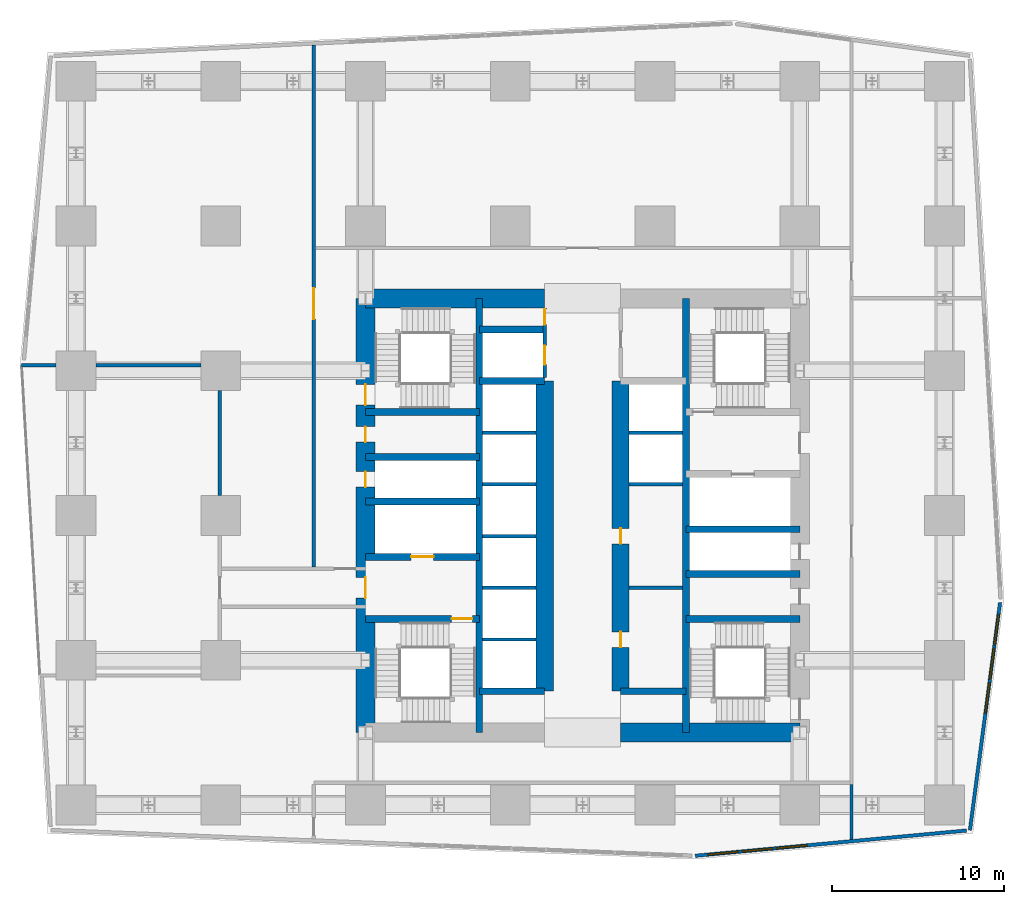
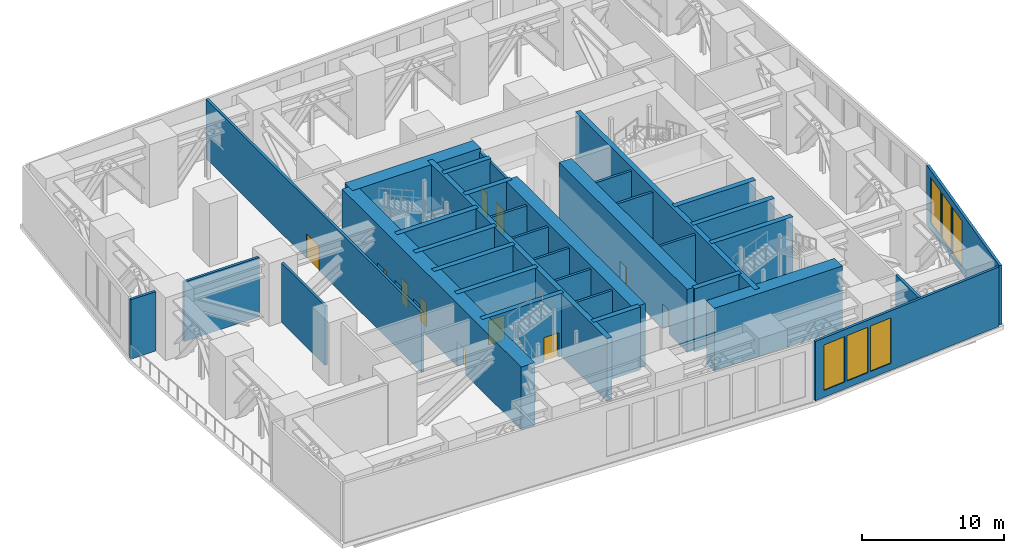
# One storey, part 9 of 16: 35 walls, 11 doors, 6 windows, 17 openings.
"""IFC4 building model written with IfcOpenShell, lengths in metres."""

import ifcopenshell
import ifcopenshell.guid

model = None  # the IFC model being written
_history = None  # IfcOwnerHistory: only IFC2X3 demands one
_inside = {}  # id of a spatial element -> (the spatial element, [elements in it])
_under = {}  # id of a project, library or spatial element -> (it, [spatial elements below it])
_declared = {}  # id of a project -> (the project, [libraries it declares])
_typed = {}  # id of a type object -> (the type object, [elements of that type])
_made_of = {}  # id of a material, layer set ... -> (it, [elements and type objects made of it])


def new_model(schema):
    """Start an empty IFC model of exactly this schema.

    Asked for "IFC4X3", IfcOpenShell would pick the latest addendum, in which some entities
    have other attributes; the version numbers below select the first issue.
    IFC2X3 requires an IfcOwnerHistory on every rooted entity: one is made here for all.
    """
    global model, _history
    if schema == "IFC4X3":
        model = ifcopenshell.file(schema_version=(4, 3, 0, 0))
    else:
        model = ifcopenshell.file(schema=schema)
    _inside.clear()
    _under.clear()
    _declared.clear()
    _typed.clear()
    _made_of.clear()
    _history = None
    if model.schema == "IFC2X3":
        org = make("IfcOrganization", Name="unknown")
        user = make(
            "IfcPersonAndOrganization",
            ThePerson=make("IfcPerson", FamilyName="unknown"),
            TheOrganization=org,
        )
        app = make(
            "IfcApplication",
            ApplicationDeveloper=org,
            Version="unknown",
            ApplicationFullName="unknown",
            ApplicationIdentifier="unknown",
        )
        _history = make(
            "IfcOwnerHistory",
            OwningUser=user,
            OwningApplication=app,
            ChangeAction="ADDED",
            CreationDate=0,
        )
    return model


def make(cls, **values):
    """One entity of the class cls with the attributes given. An attribute that is None is left unset."""
    return model.create_entity(
        cls, **{name: value for name, value in values.items() if value is not None}
    )


def rooted(cls, **values):
    """An entity with a GlobalId (a new one), such as an element, a storey or a relation."""
    return make(cls, GlobalId=ifcopenshell.guid.new(), OwnerHistory=_history, **values)


def si_unit(unit_type, name, prefix=None):
    """IfcSIUnit, for example si_unit("LENGTHUNIT", "METRE", prefix="MILLI")."""
    return make("IfcSIUnit", UnitType=unit_type, Prefix=prefix, Name=name)


def assignment(units):
    """IfcUnitAssignment: the units of a project."""
    return None if units is None else make("IfcUnitAssignment", Units=units)


def point(xyz):
    """IfcCartesianPoint."""
    return None if xyz is None else make("IfcCartesianPoint", Coordinates=xyz)


def direction(xyz):
    """IfcDirection."""
    return None if xyz is None else make("IfcDirection", DirectionRatios=xyz)


def frame(location, z_axis=None, x_axis=None):
    """IfcAxis2Placement3D, a coordinate frame: its origin and axes. An axis left out is left unset."""
    return make(
        "IfcAxis2Placement3D",
        Location=point(location),
        Axis=direction(z_axis),
        RefDirection=direction(x_axis),
    )


def frame_2d(location, x_axis=None):
    """IfcAxis2Placement2D, a coordinate frame in the plane: its origin and x axis."""
    return make(
        "IfcAxis2Placement2D", Location=point(location), RefDirection=direction(x_axis)
    )


def origin():
    """The frame at (0, 0, 0) with its axes left unset."""
    return frame((0.0, 0.0, 0.0))


def place(relative_to, where):
    """IfcLocalPlacement: puts the frame where relative to a parent placement (None: the world)."""
    return make(
        "IfcLocalPlacement", PlacementRelTo=relative_to, RelativePlacement=where
    )


def context(
    kind, dimensions, precision=None, world=None, true_north=None, identifier=None
):
    """IfcGeometricRepresentationContext, for example the 3D "Model" context."""
    return make(
        "IfcGeometricRepresentationContext",
        ContextIdentifier=identifier,
        ContextType=kind,
        CoordinateSpaceDimension=dimensions,
        Precision=precision,
        WorldCoordinateSystem=world,
        TrueNorth=true_north,
    )


def subcontext(parent, identifier, kind, view, scale=None):
    """IfcGeometricRepresentationSubContext, for example "Body" below "Model"."""
    return make(
        "IfcGeometricRepresentationSubContext",
        ContextIdentifier=identifier,
        ContextType=kind,
        ParentContext=parent,
        TargetScale=scale,
        TargetView=view,
    )


def project(units=None, contexts=None):
    """IfcProject with its units and contexts."""
    return rooted(
        "IfcProject",
        Name="project",
        RepresentationContexts=contexts,
        UnitsInContext=assignment(units),
    )


def spatial(cls, under=None, at=None, **own):
    """A site, building, storey or space (cls), placed at a placement, below another one or the project."""
    s = rooted(cls, ObjectPlacement=at, **own)
    if under is not None:
        _under.setdefault(under.id(), (under, []))[1].append(s)
    return s


def profile(cls, at=None, kind="AREA", **sizes):
    """A parametric profile (cls). Its sizes go by their IFC names, for example OverallWidth=200.0."""
    return make(cls, ProfileType=kind, Position=at, **sizes)


def rectangle(**sizes):
    """IfcRectangleProfileDef."""
    return profile("IfcRectangleProfileDef", **sizes)


def extrude(swept, where, along, depth):
    """IfcExtrudedAreaSolid: the profile swept, set in the frame where, extruded along a direction by depth."""
    return make(
        "IfcExtrudedAreaSolid",
        SweptArea=swept,
        Position=where,
        ExtrudedDirection=direction(along),
        Depth=depth,
    )


def shape(context_of_items, identifier, shape_type, items):
    """IfcShapeRepresentation: the items that make up one representation, for example the "Body"."""
    return make(
        "IfcShapeRepresentation",
        ContextOfItems=context_of_items,
        RepresentationIdentifier=identifier,
        RepresentationType=shape_type,
        Items=items,
    )


def material(Name=None, Category=None):
    """IfcMaterial."""
    return make("IfcMaterial", Name=Name, Category=Category)


def layer(
    of_material, thickness, ventilated=None, Name=None, Category=None, Priority=None
):
    """IfcMaterialLayer: one layer of a wall or slab, of a material (None: an air gap)."""
    return make(
        "IfcMaterialLayer",
        Material=of_material,
        LayerThickness=thickness,
        IsVentilated=ventilated,
        Name=Name,
        Category=Category,
        Priority=Priority,
    )


def layer_set(layers, Name=None):
    """IfcMaterialLayerSet."""
    return make("IfcMaterialLayerSet", MaterialLayers=layers, LayerSetName=Name)


def made_of(thing, what):
    """Note that an element or type object is made of a material, layer set ...; save() writes the relation."""
    if what is not None:
        _made_of.setdefault(what.id(), (what, []))[1].append(thing)
    return thing


def type_object(cls, material=None, **own):
    """A type object (cls), such as IfcWallType, which elements share."""
    return made_of(rooted(cls, **own), material)


def element(
    cls,
    number,
    at=None,
    inside=None,
    cuts=None,
    type_object=None,
    material=None,
    context=None,
    identifier="Body",
    shape_type=None,
    held_by="IfcProductDefinitionShape",
    body=None,
    shapes=None,
    **own,
):
    """One element of the class cls, such as IfcWall. Its Tag is "e" and its number.

    at: its placement. inside: the storey or other place that contains it. cuts: it is an
    opening in that element (IfcRelVoidsElement). A single representation is given by context,
    identifier, shape_type and body (its items); several are given by shapes. held_by: the class
    of the entity that holds the representations. save() writes the other relations.
    """
    e = rooted(cls, Tag="e%d" % number, ObjectPlacement=at, **own)
    if body is not None:
        shapes = [shape(context, identifier, shape_type, body)]
    if shapes is not None:
        e.Representation = make(held_by, Representations=shapes)
    if inside is not None:
        _inside.setdefault(inside.id(), (inside, []))[1].append(e)
    if cuts is not None:
        rooted(
            "IfcRelVoidsElement", RelatingBuildingElement=cuts, RelatedOpeningElement=e
        )
    if type_object is not None:
        _typed.setdefault(type_object.id(), (type_object, []))[1].append(e)
    return made_of(e, material)


def fill(opening, filler):
    """IfcRelFillsElement: the door or window that sits in an opening."""
    return rooted(
        "IfcRelFillsElement",
        RelatingOpeningElement=opening,
        RelatedBuildingElement=filler,
    )


def aggregate(whole, parts):
    """IfcRelAggregates: a whole, such as a stair, and the parts it consists of."""
    return rooted("IfcRelAggregates", RelatingObject=whole, RelatedObjects=parts)


def save(model, path):
    """Write the relations noted so far, then the file.

    IfcRelAggregates (storeys below a building ...), IfcRelContainedInSpatialStructure (elements
    in a storey), IfcRelDefinesByType, IfcRelAssociatesMaterial and IfcRelDeclares: one each for
    every whole, place, type object, material and project.
    """
    for whole, parts in _under.values():
        aggregate(whole, parts)
    for where, things in _inside.values():
        rooted(
            "IfcRelContainedInSpatialStructure",
            RelatedElements=things,
            RelatingStructure=where,
        )
    for kind, things in _typed.values():
        rooted("IfcRelDefinesByType", RelatedObjects=things, RelatingType=kind)
    for what, things in _made_of.values():
        rooted("IfcRelAssociatesMaterial", RelatedObjects=things, RelatingMaterial=what)
    for by, libraries in _declared.values():
        rooted("IfcRelDeclares", RelatingContext=by, RelatedDefinitions=libraries)
    model.write(path)


model = new_model("IFC4")

# Units and contexts
model_context = context("Model", 3, precision=1e-05, world=origin(), true_north=direction((0.0, 1.0)))
body_context = subcontext(model_context, "Body", "Model", "MODEL_VIEW")
ifc_project = project(units=[si_unit("LENGTHUNIT", "METRE"), si_unit("AREAUNIT", "SQUARE_METRE"), si_unit("VOLUMEUNIT", "CUBIC_METRE"), si_unit("PLANEANGLEUNIT", "RADIAN"), si_unit("MASSUNIT", "GRAM", prefix="KILO")], contexts=[model_context])

# Site, building, storey
site_placement = place(None, origin())
site = spatial("IfcSite", under=ifc_project, at=site_placement, CompositionType="ELEMENT")
building_placement = place(site_placement, origin())
building = spatial("IfcBuilding", under=site, at=building_placement, Name="Rekha Terrace Tower", CompositionType="ELEMENT")
storey_placement = place(building_placement, frame((0.0, 0.0, 240.199951171875)))
storey = spatial("IfcBuildingStorey", under=building, at=storey_placement, Name="L61", CompositionType="ELEMENT", Elevation=240.199951171875)

# Walls
ifc_material_1 = material(Name="Concrete M60", Category="concrete")
ifc_layer_1 = layer(ifc_material_1, 0.39990234375)
ifc_layer_set_1 = layer_set([ifc_layer_1], Name="Concrete M60")
wall_type_1 = type_object("IfcWallType", Name="CI4 400 core internal shear wall", PredefinedType="SHEAR", material=ifc_layer_set_1)
for number, where, z_axis, x_axis, name in (
    (1, (31.800048828125, 21.0, 0.0), (0.0, 0.0, 1.0), (0.0, 1.0, 0.0), "Core wall X318 L61"),
    (2, (43.800048828125, 21.0, 0.0), (0.0, 0.0, 1.0), (0.0, 1.0, 0.0), "Core wall X438 L61"),
):
    element("IfcWall", number, at=place(storey_placement, frame(where, z_axis=z_axis, x_axis=x_axis)), inside=storey, type_object=wall_type_1, Name=name, PredefinedType="SHEAR", context=body_context, shape_type="SweptSolid", body=[
        extrude(rectangle(XDim=25.199951171875, YDim=0.39990234375, at=frame_2d((12.60009765625, 0.0))), origin(), (0.0, 0.0, 1.0), 5.400146484375),
    ])
for number, where, z_axis, x_axis, name in (
    (3, (31.800048828125, 23.39990234375, 0.0), (0.0, 0.0, 1.0), (1.0, 0.0, 0.0), "Core wall Y234W L61"),
    (4, (31.800048828125, 41.39990234375, 0.0), (0.0, 0.0, 1.0), (1.0, 0.0, 0.0), "Core wall Y414W L61"),
    (5, (31.800048828125, 44.39990234375, 0.0), (0.0, 0.0, 1.0), (1.0, 0.0, 0.0), "Core wall Y444W L61"),
    (6, (40.0, 23.39990234375, 0.0), (0.0, 0.0, 1.0), (1.0, 0.0, 0.0), "Core wall Y234E L61"),
):
    element("IfcWall", number, at=place(storey_placement, frame(where, z_axis=z_axis, x_axis=x_axis)), inside=storey, type_object=wall_type_1, Name=name, PredefinedType="SHEAR", context=body_context, shape_type="SweptSolid", body=[
        extrude(rectangle(XDim=3.800048828125, YDim=0.39990234375, at=frame_2d((1.89990234375, 0.0))), origin(), (0.0, 0.0, 1.0), 5.400146484375),
    ])

# Wall, opening, door
wall_1_placement = place(storey_placement, frame((25.199951171875, 27.60009765625, 0.0), z_axis=(0.0, 0.0, 1.0), x_axis=(1.0, 0.0, 0.0)))
wall_1 = element("IfcWall", 7, at=wall_1_placement, inside=storey, type_object=wall_type_1, Name="Core wall Y276W L61", PredefinedType="SHEAR", context=body_context, shape_type="SweptSolid", body=[
    extrude(rectangle(XDim=6.60009765625, YDim=0.39990234375, at=frame_2d((3.300048828125, 0.0))), origin(), (0.0, 0.0, 1.0), 5.400146484375),
])
opening_1_placement = place(wall_1_placement, frame((5.0, 0.0, 0.0)))
opening_1 = element("IfcOpeningElement", 8, at=opening_1_placement, cuts=wall_1, Name="Opening D1", PredefinedType="OPENING", context=body_context, shape_type="SweptSolid", body=[
    extrude(rectangle(XDim=1.199951171875, YDim=2.10009765625, at=frame_2d((0.60009765625, 1.050048828125))), frame((0.0, 0.2099609375, 0.0), z_axis=(0.0, -1.0, 0.0), x_axis=(1.0, 0.0, 0.0)), (0.0, 0.0, 1.0), 0.419921875),
])
ifc_material_2 = material(Name="Steel fire door", Category="steel")
door_type_1 = type_object("IfcDoorType", Name="D1 1200x2100 stair fire door", OperationType="SINGLE_SWING_RIGHT", PredefinedType="DOOR", material=ifc_material_2)
door_1_placement = place(opening_1_placement, origin())
door_1 = element("IfcDoor", 9, at=door_1_placement, inside=storey, type_object=door_type_1, Name="Stair ST1 door L61", OperationType="SINGLE_SWING_RIGHT", OverallHeight=2.10009765625, OverallWidth=1.199951171875, PredefinedType="DOOR", context=body_context, shape_type="SweptSolid", body=[
    extrude(rectangle(XDim=1.199951171875, YDim=2.10009765625, at=frame_2d((0.60009765625, 1.050048828125))), frame((0.0, 0.02490234375, 0.0), z_axis=(0.0, -1.0, 0.0), x_axis=(1.0, 0.0, 0.0)), (0.0, 0.0, 1.0), 0.050048828125),
])
fill(opening_1, door_1)

wall_2_placement = place(storey_placement, frame((25.199951171875, 31.199951171875, 0.0), z_axis=(0.0, 0.0, 1.0), x_axis=(1.0, 0.0, 0.0)))
wall_2 = element("IfcWall", 10, at=wall_2_placement, inside=storey, type_object=wall_type_1, Name="Core wall Y312W L61", PredefinedType="SHEAR", context=body_context, shape_type="SweptSolid", body=[
    extrude(rectangle(XDim=6.60009765625, YDim=0.39990234375, at=frame_2d((3.300048828125, 0.0))), origin(), (0.0, 0.0, 1.0), 5.400146484375),
])
opening_2_placement = place(wall_2_placement, frame((2.64990234375, 0.0, 0.0)))
opening_2 = element("IfcOpeningElement", 11, at=opening_2_placement, cuts=wall_2, Name="Opening LD2", PredefinedType="OPENING", context=body_context, shape_type="SweptSolid", body=[
    extrude(rectangle(XDim=1.300048828125, YDim=2.10009765625, at=frame_2d((0.64990234375, 1.050048828125))), frame((0.0, 0.2099609375, 0.0), z_axis=(0.0, -1.0, 0.0), x_axis=(1.0, 0.0, 0.0)), (0.0, 0.0, 1.0), 0.419921875),
])
ifc_material_3 = material(Name="Stainless steel sliding landing door", Category="steel")
door_type_2 = type_object("IfcDoorType", Name="LD2 1300x2100 fire lift landing door", OperationType="SLIDING_TO_LEFT", PredefinedType="USERDEFINED", material=ifc_material_3)
door_2_placement = place(opening_2_placement, origin())
door_2 = element("IfcDoor", 12, at=door_2_placement, inside=storey, type_object=door_type_2, Name="Lift FL1 landing door L61", ObjectType="LIFT LANDING DOOR", OperationType="SLIDING_TO_LEFT", OverallHeight=2.10009765625, OverallWidth=1.300048828125, PredefinedType="USERDEFINED", context=body_context, shape_type="SweptSolid", body=[
    extrude(rectangle(XDim=1.300048828125, YDim=2.10009765625, at=frame_2d((0.64990234375, 1.050048828125))), frame((0.0, 0.02490234375, 0.0), z_axis=(0.0, -1.0, 0.0), x_axis=(1.0, 0.0, 0.0)), (0.0, 0.0, 1.0), 0.050048828125),
])
fill(opening_2, door_2)

# Walls
for number, where, z_axis, x_axis, name in (
    (13, (25.199951171875, 34.39990234375, 0.0), (0.0, 0.0, 1.0), (1.0, 0.0, 0.0), "Core wall Y344W L61"),
    (14, (25.199951171875, 37.0, 0.0), (0.0, 0.0, 1.0), (1.0, 0.0, 0.0), "Core wall Y370W L61"),
    (15, (25.199951171875, 39.60009765625, 0.0), (0.0, 0.0, 1.0), (1.0, 0.0, 0.0), "Core wall Y396W L61"),
):
    element("IfcWall", number, at=place(storey_placement, frame(where, z_axis=z_axis, x_axis=x_axis)), inside=storey, type_object=wall_type_1, Name=name, PredefinedType="SHEAR", context=body_context, shape_type="SweptSolid", body=[
        extrude(rectangle(XDim=6.60009765625, YDim=0.39990234375, at=frame_2d((3.300048828125, 0.0))), origin(), (0.0, 0.0, 1.0), 5.400146484375),
    ])
for number, where, z_axis, x_axis, name in (
    (16, (43.800048828125, 27.60009765625, 0.0), (0.0, 0.0, 1.0), (1.0, 0.0, 0.0), "Core wall Y276E L61"),
    (17, (43.800048828125, 30.199951171875, 0.0), (0.0, 0.0, 1.0), (1.0, 0.0, 0.0), "Core wall Y302E L61"),
    (18, (43.800048828125, 32.800048828125, 0.0), (0.0, 0.0, 1.0), (1.0, 0.0, 0.0), "Core wall Y328E L61"),
):
    element("IfcWall", number, at=place(storey_placement, frame(where, z_axis=z_axis, x_axis=x_axis)), inside=storey, type_object=wall_type_1, Name=name, PredefinedType="SHEAR", context=body_context, shape_type="SweptSolid", body=[
        extrude(rectangle(XDim=6.599853515625, YDim=0.39990234375, at=frame_2d((3.2998046875, 0.0))), origin(), (0.0, 0.0, 1.0), 5.400146484375),
    ])

# Wall, openings, windows
ifc_material_4 = material(Name="Aluminium cladding on steel stud wall", Category="steel")
ifc_layer_2 = layer(ifc_material_4, 0.199951171875)
ifc_layer_set_2 = layer_set([ifc_layer_2], Name="Aluminium cladding on steel stud wall")
wall_type_2 = type_object("IfcWallType", Name="EW1 plant floor louvre wall 200", PredefinedType="SOLIDWALL", material=ifc_layer_set_2)
wall_3_placement = place(storey_placement, frame((44.334716796875, 13.850341796875, 0.0), z_axis=(0.0, 0.0, 1.0), x_axis=(0.995692432996, 0.092717737649, 0.0)))
wall_3 = element("IfcWall", 19, at=wall_3_placement, inside=storey, type_object=wall_type_2, Name="Plant floor louvre wall", PredefinedType="SOLIDWALL", context=body_context, shape_type="SweptSolid", body=[
    extrude(rectangle(XDim=15.806884765625, YDim=0.199951171875, at=frame_2d((7.9033203125, 0.0))), origin(), (0.0, 0.0, 1.0), 5.10009765625),
])
opening_3_placement = place(wall_3_placement, frame((0.724609375, 0.0, 0.60009765625)))
opening_3 = element("IfcOpeningElement", 20, at=opening_3_placement, cuts=wall_3, Name="Opening LV2", PredefinedType="OPENING", context=body_context, shape_type="SweptSolid", body=[
    extrude(rectangle(XDim=1.800048828125, YDim=3.89990234375, at=frame_2d((0.89990234375, 1.949951171875))), frame((0.0, 0.10986328125, 0.0), z_axis=(0.0, -1.0, 0.0), x_axis=(1.0, 0.0, 0.0)), (0.0, 0.0, 1.0), 0.219970703125),
])
opening_4_placement = place(wall_3_placement, frame((2.724609375, 0.0, 0.60009765625)))
opening_4 = element("IfcOpeningElement", 21, at=opening_4_placement, cuts=wall_3, Name="Opening LV2", PredefinedType="OPENING", context=body_context, shape_type="SweptSolid", body=[
    extrude(rectangle(XDim=1.800048828125, YDim=3.89990234375, at=frame_2d((0.89990234375, 1.949951171875))), frame((0.0, 0.10986328125, 0.0), z_axis=(0.0, -1.0, 0.0), x_axis=(1.0, 0.0, 0.0)), (0.0, 0.0, 1.0), 0.219970703125),
])
opening_5_placement = place(wall_3_placement, frame((4.724609375, 0.0, 0.60009765625)))
opening_5 = element("IfcOpeningElement", 22, at=opening_5_placement, cuts=wall_3, Name="Opening LV2", PredefinedType="OPENING", context=body_context, shape_type="SweptSolid", body=[
    extrude(rectangle(XDim=1.800048828125, YDim=3.89990234375, at=frame_2d((0.89990234375, 1.949951171875))), frame((0.0, 0.10986328125, 0.0), z_axis=(0.0, -1.0, 0.0), x_axis=(1.0, 0.0, 0.0)), (0.0, 0.0, 1.0), 0.219970703125),
])
ifc_material_5 = material(Name="Extruded aluminium weather louvre", Category="aluminium")
window_type = type_object("IfcWindowType", Name="LV2 plant louvre 1800", PartitioningType="SINGLE_PANEL", PredefinedType="USERDEFINED", material=ifc_material_5)
window_1_placement = place(opening_3_placement, origin())
window_1 = element("IfcWindow", 23, at=window_1_placement, inside=storey, type_object=window_type, Name="Plant louvre", ObjectType="LOUVRE", OverallHeight=3.89990234375, OverallWidth=1.800048828125, PartitioningType="SINGLE_PANEL", PredefinedType="USERDEFINED", context=body_context, shape_type="SweptSolid", body=[
    extrude(rectangle(XDim=1.800048828125, YDim=3.89990234375, at=frame_2d((0.89990234375, 1.949951171875))), frame((0.0, 0.030029296875, 0.0), z_axis=(0.0, -1.0, 0.0), x_axis=(1.0, 0.0, 0.0)), (0.0, 0.0, 1.0), 0.06005859375),
])
fill(opening_3, window_1)
window_2_placement = place(opening_4_placement, origin())
window_2 = element("IfcWindow", 24, at=window_2_placement, inside=storey, type_object=window_type, Name="Plant louvre", ObjectType="LOUVRE", OverallHeight=3.89990234375, OverallWidth=1.800048828125, PartitioningType="SINGLE_PANEL", PredefinedType="USERDEFINED", context=body_context, shape_type="SweptSolid", body=[
    extrude(rectangle(XDim=1.800048828125, YDim=3.89990234375, at=frame_2d((0.89990234375, 1.949951171875))), frame((0.0, 0.030029296875, 0.0), z_axis=(0.0, -1.0, 0.0), x_axis=(1.0, 0.0, 0.0)), (0.0, 0.0, 1.0), 0.06005859375),
])
fill(opening_4, window_2)
window_3_placement = place(opening_5_placement, origin())
window_3 = element("IfcWindow", 25, at=window_3_placement, inside=storey, type_object=window_type, Name="Plant louvre", ObjectType="LOUVRE", OverallHeight=3.89990234375, OverallWidth=1.800048828125, PartitioningType="SINGLE_PANEL", PredefinedType="USERDEFINED", context=body_context, shape_type="SweptSolid", body=[
    extrude(rectangle(XDim=1.800048828125, YDim=3.89990234375, at=frame_2d((0.89990234375, 1.949951171875))), frame((0.0, 0.030029296875, 0.0), z_axis=(0.0, -1.0, 0.0), x_axis=(1.0, 0.0, 0.0)), (0.0, 0.0, 1.0), 0.06005859375),
])
fill(opening_5, window_3)

wall_4_placement = place(storey_placement, frame((60.272705078125, 15.33447265625, 0.0), z_axis=(0.0, 0.0, 1.0), x_axis=(0.131298715916, 0.991342850481, 0.0)))
wall_4 = element("IfcWall", 26, at=wall_4_placement, inside=storey, type_object=wall_type_2, Name="Plant floor louvre wall", PredefinedType="SOLIDWALL", context=body_context, shape_type="SweptSolid", body=[
    extrude(rectangle(XDim=13.330322265625, YDim=0.199951171875, at=frame_2d((6.6650390625, 0.0))), origin(), (0.0, 0.0, 1.0), 5.10009765625),
])
opening_6_placement = place(wall_4_placement, frame((6.84423828125, 0.0, 0.60009765625)))
opening_6 = element("IfcOpeningElement", 27, at=opening_6_placement, cuts=wall_4, Name="Opening LV2", PredefinedType="OPENING", context=body_context, shape_type="SweptSolid", body=[
    extrude(rectangle(XDim=1.800048828125, YDim=3.89990234375, at=frame_2d((0.89990234375, 1.949951171875))), frame((0.0, 0.10986328125, 0.0), z_axis=(0.0, -1.0, 0.0), x_axis=(1.0, 0.0, 0.0)), (0.0, 0.0, 1.0), 0.219970703125),
])
opening_7_placement = place(wall_4_placement, frame((8.84423828125, 0.0, 0.60009765625)))
opening_7 = element("IfcOpeningElement", 28, at=opening_7_placement, cuts=wall_4, Name="Opening LV2", PredefinedType="OPENING", context=body_context, shape_type="SweptSolid", body=[
    extrude(rectangle(XDim=1.800048828125, YDim=3.89990234375, at=frame_2d((0.89990234375, 1.949951171875))), frame((0.0, 0.10986328125, 0.0), z_axis=(0.0, -1.0, 0.0), x_axis=(1.0, 0.0, 0.0)), (0.0, 0.0, 1.0), 0.219970703125),
])
opening_8_placement = place(wall_4_placement, frame((10.84423828125, 0.0, 0.60009765625)))
opening_8 = element("IfcOpeningElement", 29, at=opening_8_placement, cuts=wall_4, Name="Opening LV2", PredefinedType="OPENING", context=body_context, shape_type="SweptSolid", body=[
    extrude(rectangle(XDim=1.800048828125, YDim=3.89990234375, at=frame_2d((0.89990234375, 1.949951171875))), frame((0.0, 0.10986328125, 0.0), z_axis=(0.0, -1.0, 0.0), x_axis=(1.0, 0.0, 0.0)), (0.0, 0.0, 1.0), 0.219970703125),
])
window_4_placement = place(opening_6_placement, origin())
window_4 = element("IfcWindow", 30, at=window_4_placement, inside=storey, type_object=window_type, Name="Plant louvre", ObjectType="LOUVRE", OverallHeight=3.89990234375, OverallWidth=1.800048828125, PartitioningType="SINGLE_PANEL", PredefinedType="USERDEFINED", context=body_context, shape_type="SweptSolid", body=[
    extrude(rectangle(XDim=1.800048828125, YDim=3.89990234375, at=frame_2d((0.89990234375, 1.949951171875))), frame((0.0, 0.030029296875, 0.0), z_axis=(0.0, -1.0, 0.0), x_axis=(1.0, 0.0, 0.0)), (0.0, 0.0, 1.0), 0.06005859375),
])
fill(opening_6, window_4)
window_5_placement = place(opening_7_placement, origin())
window_5 = element("IfcWindow", 31, at=window_5_placement, inside=storey, type_object=window_type, Name="Plant louvre", ObjectType="LOUVRE", OverallHeight=3.89990234375, OverallWidth=1.800048828125, PartitioningType="SINGLE_PANEL", PredefinedType="USERDEFINED", context=body_context, shape_type="SweptSolid", body=[
    extrude(rectangle(XDim=1.800048828125, YDim=3.89990234375, at=frame_2d((0.89990234375, 1.949951171875))), frame((0.0, 0.030029296875, 0.0), z_axis=(0.0, -1.0, 0.0), x_axis=(1.0, 0.0, 0.0)), (0.0, 0.0, 1.0), 0.06005859375),
])
fill(opening_7, window_5)
window_6_placement = place(opening_8_placement, origin())
window_6 = element("IfcWindow", 32, at=window_6_placement, inside=storey, type_object=window_type, Name="Plant louvre", ObjectType="LOUVRE", OverallHeight=3.89990234375, OverallWidth=1.800048828125, PartitioningType="SINGLE_PANEL", PredefinedType="USERDEFINED", context=body_context, shape_type="SweptSolid", body=[
    extrude(rectangle(XDim=1.800048828125, YDim=3.89990234375, at=frame_2d((0.89990234375, 1.949951171875))), frame((0.0, 0.030029296875, 0.0), z_axis=(0.0, -1.0, 0.0), x_axis=(1.0, 0.0, 0.0)), (0.0, 0.0, 1.0), 0.06005859375),
])
fill(opening_8, window_6)

# Wall
ifc_layer_3 = layer(ifc_material_1, 1.0)
ifc_layer_set_3 = layer_set([ifc_layer_3], Name="Concrete M60")
wall_type_3 = type_object("IfcWallType", Name="LW4 1000 core lobby wall at an outrigger level", PredefinedType="SHEAR", material=ifc_layer_set_3)
wall_5_placement = place(storey_placement, frame((35.60009765625, 23.39990234375, 0.0), z_axis=(0.0, 0.0, 1.0), x_axis=(0.0, 1.0, 0.0)))
element("IfcWall", 33, at=wall_5_placement, inside=storey, type_object=wall_type_3, Name="Core wall X356 L61", PredefinedType="SHEAR", context=body_context, shape_type="SweptSolid", body=[
    extrude(rectangle(XDim=18.0, YDim=1.0, at=frame_2d((9.0, 0.0))), origin(), (0.0, 0.0, 1.0), 5.400146484375),
])

# Wall, openings, doors
wall_6_placement = place(storey_placement, frame((40.0, 23.39990234375, 0.0), z_axis=(0.0, 0.0, 1.0), x_axis=(0.0, 1.0, 0.0)))
wall_6 = element("IfcWall", 34, at=wall_6_placement, inside=storey, type_object=wall_type_3, Name="Core wall X400 L61", PredefinedType="SHEAR", context=body_context, shape_type="SweptSolid", body=[
    extrude(rectangle(XDim=18.0, YDim=1.0, at=frame_2d((9.0, 0.0))), origin(), (0.0, 0.0, 1.0), 5.400146484375),
])
opening_9_placement = place(wall_6_placement, frame((2.550048828125, 0.0, 0.0)))
opening_9 = element("IfcOpeningElement", 35, at=opening_9_placement, cuts=wall_6, Name="Opening D5", PredefinedType="OPENING", context=body_context, shape_type="SweptSolid", body=[
    extrude(rectangle(XDim=0.89990234375, YDim=2.10009765625, at=frame_2d((0.449951171875, 1.050048828125))), frame((0.0, 0.510009765625, 0.0), z_axis=(0.0, -1.0, 0.0), x_axis=(1.0, 0.0, 0.0)), (0.0, 0.0, 1.0), 1.02001953125),
])
opening_10_placement = place(wall_6_placement, frame((8.550048828125, 0.0, 0.0)))
opening_10 = element("IfcOpeningElement", 36, at=opening_10_placement, cuts=wall_6, Name="Opening D5", PredefinedType="OPENING", context=body_context, shape_type="SweptSolid", body=[
    extrude(rectangle(XDim=0.89990234375, YDim=2.10009765625, at=frame_2d((0.449951171875, 1.050048828125))), frame((0.0, 0.510009765625, 0.0), z_axis=(0.0, -1.0, 0.0), x_axis=(1.0, 0.0, 0.0)), (0.0, 0.0, 1.0), 1.02001953125),
])
door_type_3 = type_object("IfcDoorType", Name="D5 900x2100 riser access door", OperationType="SINGLE_SWING_LEFT", PredefinedType="DOOR", material=ifc_material_2)
door_3_placement = place(opening_9_placement, origin())
door_3 = element("IfcDoor", 37, at=door_3_placement, inside=storey, type_object=door_type_3, Name="Door plant spares store L61", OperationType="SINGLE_SWING_LEFT", OverallHeight=2.10009765625, OverallWidth=0.89990234375, PredefinedType="DOOR", context=body_context, shape_type="SweptSolid", body=[
    extrude(rectangle(XDim=0.89990234375, YDim=2.10009765625, at=frame_2d((0.449951171875, 1.050048828125))), frame((0.0, 0.02490234375, 0.0), z_axis=(0.0, -1.0, 0.0), x_axis=(1.0, 0.0, 0.0)), (0.0, 0.0, 1.0), 0.050048828125),
])
fill(opening_9, door_3)
door_4_placement = place(opening_10_placement, origin())
door_4 = element("IfcDoor", 38, at=door_4_placement, inside=storey, type_object=door_type_3, Name="Door building management panel room L61", OperationType="SINGLE_SWING_LEFT", OverallHeight=2.10009765625, OverallWidth=0.89990234375, PredefinedType="DOOR", context=body_context, shape_type="SweptSolid", body=[
    extrude(rectangle(XDim=0.89990234375, YDim=2.10009765625, at=frame_2d((0.449951171875, 1.050048828125))), frame((0.0, 0.02490234375, 0.0), z_axis=(0.0, -1.0, 0.0), x_axis=(1.0, 0.0, 0.0)), (0.0, 0.0, 1.0), 0.050048828125),
])
fill(opening_10, door_4)

# Walls
ifc_layer_4 = layer(ifc_material_1, 1.10009765625)
ifc_layer_set_4 = layer_set([ifc_layer_4], Name="Concrete M60")
wall_type_4 = type_object("IfcWallType", Name="SW4 1100 core outer shear wall", PredefinedType="SHEAR", material=ifc_layer_set_4)
wall_7_placement = place(storey_placement, frame((40.0, 21.0, 0.0), z_axis=(0.0, 0.0, 1.0), x_axis=(1.0, 0.0, 0.0)))
element("IfcWall", 39, at=wall_7_placement, inside=storey, type_object=wall_type_4, Name="Core wall S2 L61", PredefinedType="SHEAR", context=body_context, shape_type="SweptSolid", body=[
    extrude(rectangle(XDim=10.39990234375, YDim=1.10009765625, at=frame_2d((5.199951171875, 0.0))), origin(), (0.0, 0.0, 1.0), 5.400146484375),
])
wall_8_placement = place(storey_placement, frame((25.199951171875, 46.199951171875, 0.0), z_axis=(0.0, 0.0, 1.0), x_axis=(1.0, 0.0, 0.0)))
element("IfcWall", 40, at=wall_8_placement, inside=storey, type_object=wall_type_4, Name="Core wall N1 L61", PredefinedType="SHEAR", context=body_context, shape_type="SweptSolid", body=[
    extrude(rectangle(XDim=10.400146484375, YDim=1.10009765625, at=frame_2d((5.2001953125, 0.0))), origin(), (0.0, 0.0, 1.0), 5.400146484375),
])

# Wall, openings, doors
wall_9_placement = place(storey_placement, frame((25.199951171875, 21.0, 0.0), z_axis=(0.0, 0.0, 1.0), x_axis=(0.0, 1.0, 0.0)))
wall_9 = element("IfcWall", 41, at=wall_9_placement, inside=storey, type_object=wall_type_4, Name="Core wall W L61", PredefinedType="SHEAR", context=body_context, shape_type="SweptSolid", body=[
    extrude(rectangle(XDim=25.199951171875, YDim=1.10009765625, at=frame_2d((12.60009765625, 0.0))), origin(), (0.0, 0.0, 1.0), 5.400146484375),
])
opening_11_placement = place(wall_9_placement, frame((7.800048828125, 0.0, 0.0)))
opening_11 = element("IfcOpeningElement", 42, at=opening_11_placement, cuts=wall_9, Name="Opening D2", PredefinedType="OPENING", context=body_context, shape_type="SweptSolid", body=[
    extrude(rectangle(XDim=1.199951171875, YDim=2.10009765625, at=frame_2d((0.60009765625, 1.050048828125))), frame((0.0, 0.56005859375, 0.0), z_axis=(0.0, -1.0, 0.0), x_axis=(1.0, 0.0, 0.0)), (0.0, 0.0, 1.0), 1.1201171875),
])
opening_12_placement = place(wall_9_placement, frame((14.25, 0.0, 0.0)))
opening_12 = element("IfcOpeningElement", 43, at=opening_12_placement, cuts=wall_9, Name="Opening D5", PredefinedType="OPENING", context=body_context, shape_type="SweptSolid", body=[
    extrude(rectangle(XDim=0.89990234375, YDim=2.10009765625, at=frame_2d((0.449951171875, 1.050048828125))), frame((0.0, 0.56005859375, 0.0), z_axis=(0.0, -1.0, 0.0), x_axis=(1.0, 0.0, 0.0)), (0.0, 0.0, 1.0), 1.1201171875),
])
opening_13_placement = place(wall_9_placement, frame((16.85009765625, 0.0, 0.0)))
opening_13 = element("IfcOpeningElement", 44, at=opening_13_placement, cuts=wall_9, Name="Opening D5", PredefinedType="OPENING", context=body_context, shape_type="SweptSolid", body=[
    extrude(rectangle(XDim=0.89990234375, YDim=2.10009765625, at=frame_2d((0.449951171875, 1.050048828125))), frame((0.0, 0.56005859375, 0.0), z_axis=(0.0, -1.0, 0.0), x_axis=(1.0, 0.0, 0.0)), (0.0, 0.0, 1.0), 1.1201171875),
])
opening_14_placement = place(wall_9_placement, frame((19.0, 0.0, 0.0)))
opening_14 = element("IfcOpeningElement", 45, at=opening_14_placement, cuts=wall_9, Name="Opening D1", PredefinedType="OPENING", context=body_context, shape_type="SweptSolid", body=[
    extrude(rectangle(XDim=1.199951171875, YDim=2.10009765625, at=frame_2d((0.60009765625, 1.050048828125))), frame((0.0, 0.56005859375, 0.0), z_axis=(0.0, -1.0, 0.0), x_axis=(1.0, 0.0, 0.0)), (0.0, 0.0, 1.0), 1.1201171875),
])
door_5_placement = place(opening_14_placement, origin())
door_5 = element("IfcDoor", 46, at=door_5_placement, inside=storey, type_object=door_type_1, Name="Stair ST4 door L61", OperationType="SINGLE_SWING_RIGHT", OverallHeight=2.10009765625, OverallWidth=1.199951171875, PredefinedType="DOOR", context=body_context, shape_type="SweptSolid", body=[
    extrude(rectangle(XDim=1.199951171875, YDim=2.10009765625, at=frame_2d((0.60009765625, 1.050048828125))), frame((0.0, 0.02490234375, 0.0), z_axis=(0.0, -1.0, 0.0), x_axis=(1.0, 0.0, 0.0)), (0.0, 0.0, 1.0), 0.050048828125),
])
fill(opening_14, door_5)
door_type_4 = type_object("IfcDoorType", Name="D2 1200x2100 firefighting lobby door", OperationType="SINGLE_SWING_LEFT", PredefinedType="DOOR", material=ifc_material_2)
door_6_placement = place(opening_11_placement, origin())
door_6 = element("IfcDoor", 47, at=door_6_placement, inside=storey, type_object=door_type_4, Name="Door flb1 L61", OperationType="SINGLE_SWING_LEFT", OverallHeight=2.10009765625, OverallWidth=1.199951171875, PredefinedType="DOOR", context=body_context, shape_type="SweptSolid", body=[
    extrude(rectangle(XDim=1.199951171875, YDim=2.10009765625, at=frame_2d((0.60009765625, 1.050048828125))), frame((0.0, 0.02490234375, 0.0), z_axis=(0.0, -1.0, 0.0), x_axis=(1.0, 0.0, 0.0)), (0.0, 0.0, 1.0), 0.050048828125),
])
fill(opening_11, door_6)
door_7_placement = place(opening_12_placement, origin())
door_7 = element("IfcDoor", 48, at=door_7_placement, inside=storey, type_object=door_type_3, Name="Door rs1 L61", OperationType="SINGLE_SWING_LEFT", OverallHeight=2.10009765625, OverallWidth=0.89990234375, PredefinedType="DOOR", context=body_context, shape_type="SweptSolid", body=[
    extrude(rectangle(XDim=0.89990234375, YDim=2.10009765625, at=frame_2d((0.449951171875, 1.050048828125))), frame((0.0, 0.02490234375, 0.0), z_axis=(0.0, -1.0, 0.0), x_axis=(1.0, 0.0, 0.0)), (0.0, 0.0, 1.0), 0.050048828125),
])
fill(opening_12, door_7)
door_8_placement = place(opening_13_placement, origin())
door_8 = element("IfcDoor", 49, at=door_8_placement, inside=storey, type_object=door_type_3, Name="Door elw L61", OperationType="SINGLE_SWING_LEFT", OverallHeight=2.10009765625, OverallWidth=0.89990234375, PredefinedType="DOOR", context=body_context, shape_type="SweptSolid", body=[
    extrude(rectangle(XDim=0.89990234375, YDim=2.10009765625, at=frame_2d((0.449951171875, 1.050048828125))), frame((0.0, 0.02490234375, 0.0), z_axis=(0.0, -1.0, 0.0), x_axis=(1.0, 0.0, 0.0)), (0.0, 0.0, 1.0), 0.050048828125),
])
fill(opening_13, door_8)

# Wall
ifc_material_6 = material(Name="Solid concrete block masonry, 2 hour", Category="masonry")
ifc_layer_5 = layer(ifc_material_6, 0.199951171875)
ifc_layer_set_5 = layer_set([ifc_layer_5], Name="Solid concrete block masonry, 2 hour")
wall_type_5 = type_object("IfcWallType", Name="WP1 200 plant room wall", PredefinedType="PARTITIONING", material=ifc_layer_set_5)
wall_10_placement = place(storey_placement, frame((53.39990234375, 18.0, 0.0), z_axis=(0.0, 0.0, 1.0), x_axis=(0.0, -1.0, 0.0)))
element("IfcWall", 50, at=wall_10_placement, inside=storey, type_object=wall_type_5, Name="Partition L61-02", PredefinedType="PARTITIONING", context=body_context, shape_type="SweptSolid", body=[
    extrude(rectangle(XDim=3.205078125, YDim=0.199951171875, at=frame_2d((1.6025390625, 0.0))), origin(), (0.0, 0.0, 1.0), 5.10009765625),
])

# Wall, opening, door
wall_11_placement = place(storey_placement, frame((22.199951171875, 60.887939453125, 0.0), z_axis=(0.0, 0.0, 1.0), x_axis=(0.0, -1.0, 0.0)))
wall_11 = element("IfcWall", 51, at=wall_11_placement, inside=storey, type_object=wall_type_5, Name="Partition L61-03", PredefinedType="PARTITIONING", context=body_context, shape_type="SweptSolid", body=[
    extrude(rectangle(XDim=30.27685546875, YDim=0.199951171875, at=frame_2d((15.138427734375, 0.0))), origin(), (0.0, 0.0, 1.0), 5.10009765625),
])
opening_15_placement = place(wall_11_placement, frame((14.093017578125, 0.0, 0.0)))
opening_15 = element("IfcOpeningElement", 52, at=opening_15_placement, cuts=wall_11, Name="Opening D6", PredefinedType="OPENING", context=body_context, shape_type="SweptSolid", body=[
    extrude(rectangle(XDim=1.800048828125, YDim=2.10009765625, at=frame_2d((0.89990234375, 1.050048828125))), frame((0.0, 0.10986328125, 0.0), z_axis=(0.0, -1.0, 0.0), x_axis=(1.0, 0.0, 0.0)), (0.0, 0.0, 1.0), 0.219970703125),
])
door_type_5 = type_object("IfcDoorType", Name="D6 1800x2100 plant room double door", OperationType="DOUBLE_DOOR_SINGLE_SWING", PredefinedType="DOOR", material=ifc_material_2)
door_9_placement = place(opening_15_placement, origin())
door_9 = element("IfcDoor", 53, at=door_9_placement, inside=storey, type_object=door_type_5, Name="Door ahu plant room L61", OperationType="DOUBLE_DOOR_SINGLE_SWING", OverallHeight=2.10009765625, OverallWidth=1.800048828125, PredefinedType="DOOR", context=body_context, shape_type="SweptSolid", body=[
    extrude(rectangle(XDim=1.800048828125, YDim=2.10009765625, at=frame_2d((0.89990234375, 1.050048828125))), frame((0.0, 0.02490234375, 0.0), z_axis=(0.0, -1.0, 0.0), x_axis=(1.0, 0.0, 0.0)), (0.0, 0.0, 1.0), 0.050048828125),
])
fill(opening_15, door_9)

# Walls
ifc_layer_6 = layer(ifc_material_6, 0.199951171875)
ifc_layer_set_6 = layer_set([ifc_layer_6], Name="Solid concrete block masonry, 2 hour")
wall_type_6 = type_object("IfcWallType", Name="WS1 200 stair and shaft enclosure", PredefinedType="PARTITIONING", material=ifc_layer_set_6)
for number, where, z_axis, x_axis, name in (
    (54, (32.0, 26.39990234375, 0.0), (0.0, 0.0, 1.0), (1.0, 0.0, 0.0), "Lift shaft divider L61"),
    (55, (32.0, 29.39990234375, 0.0), (0.0, 0.0, 1.0), (1.0, 0.0, 0.0), "Lift shaft divider L61"),
    (56, (32.0, 32.39990234375, 0.0), (0.0, 0.0, 1.0), (1.0, 0.0, 0.0), "Lift shaft divider L61"),
    (57, (32.0, 35.39990234375, 0.0), (0.0, 0.0, 1.0), (1.0, 0.0, 0.0), "Lift shaft divider L61"),
    (58, (32.0, 38.39990234375, 0.0), (0.0, 0.0, 1.0), (1.0, 0.0, 0.0), "Lift shaft divider L61"),
    (59, (40.5, 29.39990234375, 0.0), (0.0, 0.0, 1.0), (1.0, 0.0, 0.0), "Lift shaft divider L61"),
    (60, (40.5, 35.39990234375, 0.0), (0.0, 0.0, 1.0), (1.0, 0.0, 0.0), "Lift shaft divider L61"),
    (61, (40.5, 38.39990234375, 0.0), (0.0, 0.0, 1.0), (1.0, 0.0, 0.0), "Lift shaft divider L61"),
):
    element("IfcWall", number, at=place(storey_placement, frame(where, z_axis=z_axis, x_axis=x_axis)), inside=storey, type_object=wall_type_6, Name=name, PredefinedType="PARTITIONING", context=body_context, shape_type="SweptSolid", body=[
        extrude(rectangle(XDim=3.10009765625, YDim=0.199951171875, at=frame_2d((1.550048828125, 0.0))), origin(), (0.0, 0.0, 1.0), 5.10009765625),
    ])

# Wall, openings, doors
wall_12_placement = place(storey_placement, frame((35.60009765625, 41.60009765625, 0.0), z_axis=(0.0, 0.0, 1.0), x_axis=(0.0, 1.0, 0.0)))
wall_12 = element("IfcWall", 62, at=wall_12_placement, inside=storey, type_object=wall_type_6, Name="Core partition jansv L61", PredefinedType="PARTITIONING", context=body_context, shape_type="SweptSolid", body=[
    extrude(rectangle(XDim=4.0498046875, YDim=0.199951171875, at=frame_2d((2.02490234375, 0.0))), origin(), (0.0, 0.0, 1.0), 5.10009765625),
])
opening_16_placement = place(wall_12_placement, frame((3.074951171875, 0.0, 0.0)))
opening_16 = element("IfcOpeningElement", 63, at=opening_16_placement, cuts=wall_12, Name="Opening D5", PredefinedType="OPENING", context=body_context, shape_type="SweptSolid", body=[
    extrude(rectangle(XDim=0.89990234375, YDim=2.10009765625, at=frame_2d((0.449951171875, 1.050048828125))), frame((0.0, 0.10986328125, 0.0), z_axis=(0.0, -1.0, 0.0), x_axis=(1.0, 0.0, 0.0)), (0.0, 0.0, 1.0), 0.219970703125),
])
opening_17_placement = place(wall_12_placement, frame((0.75, 0.0, 0.0)))
opening_17 = element("IfcOpeningElement", 64, at=opening_17_placement, cuts=wall_12, Name="Opening LD1", PredefinedType="OPENING", context=body_context, shape_type="SweptSolid", body=[
    extrude(rectangle(XDim=1.10009765625, YDim=2.10009765625, at=frame_2d((0.550048828125, 1.050048828125))), frame((0.0, 0.10986328125, 0.0), z_axis=(0.0, -1.0, 0.0), x_axis=(1.0, 0.0, 0.0)), (0.0, 0.0, 1.0), 0.219970703125),
])
door_10_placement = place(opening_16_placement, origin())
door_10 = element("IfcDoor", 65, at=door_10_placement, inside=storey, type_object=door_type_3, Name="Door janitor room L61", OperationType="SINGLE_SWING_LEFT", OverallHeight=2.10009765625, OverallWidth=0.89990234375, PredefinedType="DOOR", context=body_context, shape_type="SweptSolid", body=[
    extrude(rectangle(XDim=0.89990234375, YDim=2.10009765625, at=frame_2d((0.449951171875, 1.050048828125))), frame((0.0, 0.02490234375, 0.0), z_axis=(0.0, -1.0, 0.0), x_axis=(1.0, 0.0, 0.0)), (0.0, 0.0, 1.0), 0.050048828125),
])
fill(opening_16, door_10)
door_type_6 = type_object("IfcDoorType", Name="LD1 1100x2100 lift landing door", OperationType="SLIDING_TO_LEFT", PredefinedType="USERDEFINED", material=ifc_material_3)
door_11_placement = place(opening_17_placement, origin())
door_11 = element("IfcDoor", 66, at=door_11_placement, inside=storey, type_object=door_type_6, Name="Lift SV1 landing door L61", ObjectType="LIFT LANDING DOOR", OperationType="SLIDING_TO_LEFT", OverallHeight=2.10009765625, OverallWidth=1.10009765625, PredefinedType="USERDEFINED", context=body_context, shape_type="SweptSolid", body=[
    extrude(rectangle(XDim=1.10009765625, YDim=2.10009765625, at=frame_2d((0.550048828125, 1.050048828125))), frame((0.0, 0.02490234375, 0.0), z_axis=(0.0, -1.0, 0.0), x_axis=(1.0, 0.0, 0.0)), (0.0, 0.0, 1.0), 0.050048828125),
])
fill(opening_17, door_11)

# Walls
wall_13_placement = place(storey_placement, frame((16.75, 34.75, 0.0), z_axis=(0.0, 0.0, 1.0), x_axis=(0.0, 1.0, 0.0)))
element("IfcWall", 67, at=wall_13_placement, inside=storey, type_object=wall_type_6, Name="Refuge area inner wall L61", PredefinedType="PARTITIONING", context=body_context, shape_type="SweptSolid", body=[
    extrude(rectangle(XDim=6.10009765625, YDim=0.199951171875, at=frame_2d((3.050048828125, 0.0))), origin(), (0.0, 0.0, 1.0), 5.10009765625),
])
wall_14_placement = place(storey_placement, frame((5.25, 42.327880859375, 0.0), z_axis=(0.0, 0.0, 1.0), x_axis=(1.0, 0.0, 0.0)))
element("IfcWall", 68, at=wall_14_placement, inside=storey, type_object=wall_type_6, Name="Refuge area north wall L61", PredefinedType="PARTITIONING", context=body_context, shape_type="SweptSolid", body=[
    extrude(rectangle(XDim=2.0, YDim=0.199951171875, at=frame_2d((1.0, 0.0))), origin(), (0.0, 0.0, 1.0), 5.10009765625),
])
wall_15_placement = place(storey_placement, frame((9.550048828125, 42.327880859375, 0.0), z_axis=(0.0, 0.0, 1.0), x_axis=(1.0, 0.0, 0.0)))
element("IfcWall", 69, at=wall_15_placement, inside=storey, type_object=wall_type_6, Name="Refuge area north wall L61", PredefinedType="PARTITIONING", context=body_context, shape_type="SweptSolid", body=[
    extrude(rectangle(XDim=6.099853515625, YDim=0.199951171875, at=frame_2d((3.0498046875, 0.0))), origin(), (0.0, 0.0, 1.0), 5.10009765625),
])

save(model, "model.ifc")
